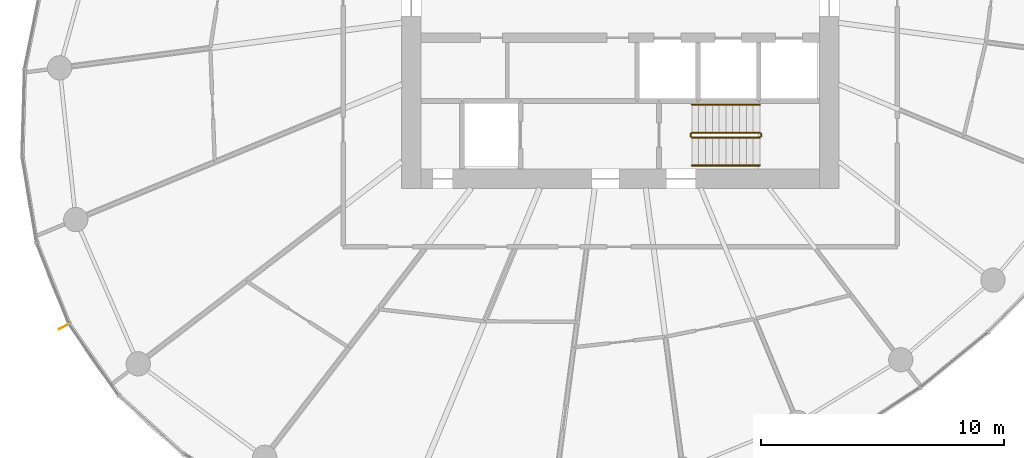
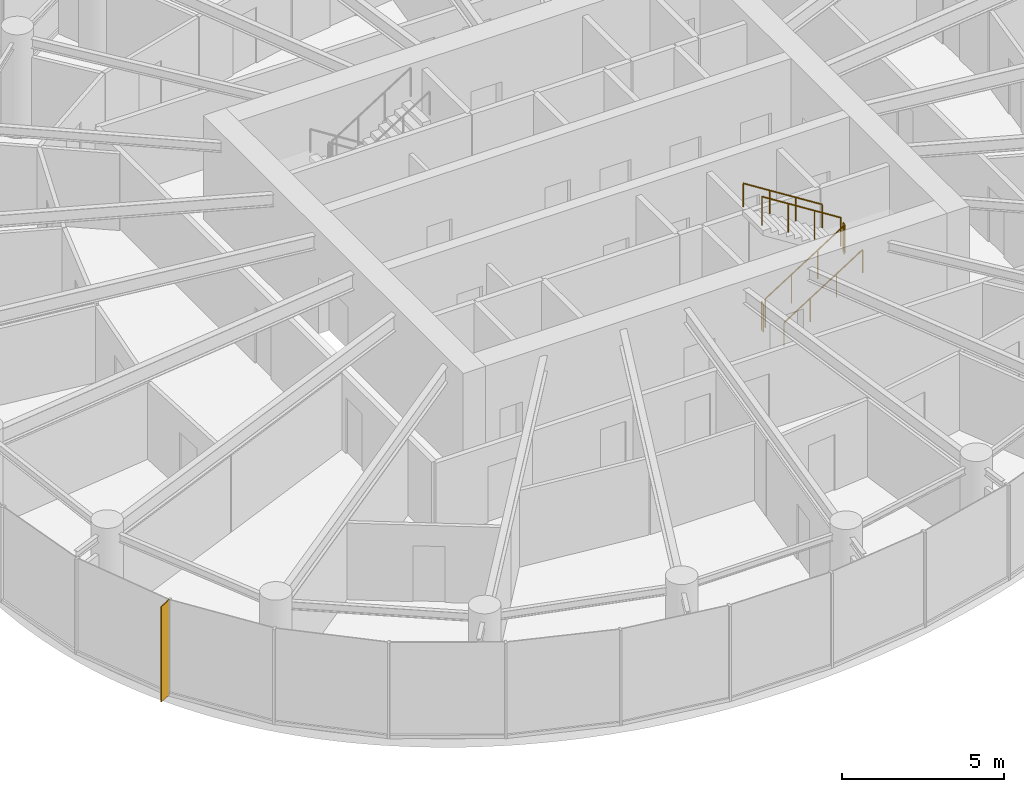
# One storey, part 12 of 14: 6 railings, 1 shading device.
"""IFC4 building model written with IfcOpenShell, lengths in metres."""

from ifc_helpers import new_model, si_unit, direction, frame, origin, origin_2d, place, context, subcontext, project, spatial, rectangle, circle, extrude, source, transform, mapped, material, material_profile, profile_set, type_object, element, save


model = new_model("IFC4")

# Units and contexts
model_context = context("Model", 3, precision=1e-05, world=origin(), true_north=direction((0.0, 1.0)))
body_context = subcontext(model_context, "Body", "Model", "MODEL_VIEW")
ifc_project = project(units=[si_unit("LENGTHUNIT", "METRE"), si_unit("AREAUNIT", "SQUARE_METRE"), si_unit("VOLUMEUNIT", "CUBIC_METRE"), si_unit("PLANEANGLEUNIT", "RADIAN"), si_unit("MASSUNIT", "GRAM", prefix="KILO")], contexts=[model_context])

# Site, building, storey
site_placement = place(None, origin())
site = spatial("IfcSite", under=ifc_project, at=site_placement, CompositionType="ELEMENT")
building_placement = place(site_placement, origin())
building = spatial("IfcBuilding", under=site, at=building_placement, Name="Spindrift Exchange Tower", CompositionType="ELEMENT")
storey_placement = place(building_placement, frame((0.0, 0.0, 160.39990234375)))
storey = spatial("IfcBuildingStorey", under=building, at=storey_placement, Name="L38", CompositionType="ELEMENT", Elevation=160.39990234375)

# Railings
ifc_material_1 = material(Name="Steel balustrade", Category="steel")
railing_type_1 = type_object("IfcRailingType", Name="RL-STAIR-GUARD", PredefinedType="GUARDRAIL", material=ifc_material_1)
railing_1_placement = place(storey_placement, frame((54.949951171875, 42.10009765625, 0.177490234375)))
element("IfcRailing", 1, at=railing_1_placement, inside=storey, type_object=railing_type_1, Name="L38 ST2 stair guard 1", PredefinedType="GUARDRAIL", context=body_context, shape_type="SweptSolid", body=[
    extrude(circle(Radius=0.02392578125, at=origin_2d()), frame((0.0, 0.0, 1.076171875), z_axis=(0.844908973607, 0.0, 0.534910110503), x_axis=(0.0, 1.0, 0.0)), (0.0, 0.0, 1.0), 3.31396484375),
    extrude(circle(Radius=0.02099609375, at=origin_2d()), origin(), (0.0, 0.0, 1.0), 1.052001953125),
    extrude(circle(Radius=0.02099609375, at=origin_2d()), frame((0.933349609375, 0.0, 0.5908203125)), (0.0, 0.0, 1.0), 1.052001953125),
    extrude(circle(Radius=0.02099609375, at=origin_2d()), frame((1.86669921875, 0.0, 1.181884765625)), (0.0, 0.0, 1.0), 1.052001953125),
    extrude(circle(Radius=0.02099609375, at=origin_2d()), frame((2.800048828125, 0.0, 1.772705078125)), (0.0, 0.0, 1.0), 1.052001953125),
])
railing_2_placement = place(storey_placement, frame((57.800048828125, 42.14990234375, 1.9501953125)))
element("IfcRailing", 2, at=railing_2_placement, inside=storey, type_object=railing_type_1, Name="L38 ST2 stair guard 2", PredefinedType="GUARDRAIL", context=body_context, shape_type="SweptSolid", body=[
    extrude(circle(Radius=0.02392578125, at=origin_2d()), frame((0.0, 0.0, 1.076171875), z_axis=(0.0, 1.0, 0.0), x_axis=(-1.0, 0.0, 0.0)), (0.0, 0.0, 1.0), 0.10009765625),
    extrude(circle(Radius=0.02099609375, at=origin_2d()), origin(), (0.0, 0.0, 1.0), 1.052001953125),
    extrude(circle(Radius=0.02099609375, at=origin_2d()), frame((0.0, 0.10009765625, 0.0)), (0.0, 0.0, 1.0), 1.052001953125),
])
railing_3_placement = place(storey_placement, frame((57.75, 42.300048828125, 2.12744140625)))
element("IfcRailing", 3, at=railing_3_placement, inside=storey, type_object=railing_type_1, Name="L38 ST2 stair guard 3", PredefinedType="GUARDRAIL", context=body_context, shape_type="SweptSolid", body=[
    extrude(circle(Radius=0.02392578125, at=origin_2d()), frame((0.0, 0.0, 1.076171875), z_axis=(-0.844908973607, 0.0, 0.534910110503), x_axis=(0.0, -1.0, 0.0)), (0.0, 0.0, 1.0), 3.31396484375),
    extrude(circle(Radius=0.02099609375, at=origin_2d()), origin(), (0.0, 0.0, 1.0), 1.052001953125),
    extrude(circle(Radius=0.02099609375, at=origin_2d()), frame((-0.933349609375, 0.0, 0.5908203125)), (0.0, 0.0, 1.0), 1.052001953125),
    extrude(circle(Radius=0.02099609375, at=origin_2d()), frame((-1.86669921875, 0.0, 1.181884765625)), (0.0, 0.0, 1.0), 1.052001953125),
    extrude(circle(Radius=0.02099609375, at=origin_2d()), frame((-2.800048828125, 0.0, 1.772705078125)), (0.0, 0.0, 1.0), 1.052001953125),
])
railing_4_placement = place(storey_placement, frame((54.89990234375, 42.14990234375, 0.0)))
element("IfcRailing", 4, at=railing_4_placement, inside=storey, type_object=railing_type_1, Name="L38 ST2 stair guard 4", PredefinedType="GUARDRAIL", context=body_context, shape_type="SweptSolid", body=[
    extrude(circle(Radius=0.02392578125, at=origin_2d()), frame((0.0, 0.0, 1.076171875), z_axis=(0.0, 1.0, 0.0), x_axis=(-1.0, 0.0, 0.0)), (0.0, 0.0, 1.0), 0.10009765625),
    extrude(circle(Radius=0.02099609375, at=origin_2d()), origin(), (0.0, 0.0, 1.0), 1.052001953125),
    extrude(circle(Radius=0.02099609375, at=origin_2d()), frame((0.0, 0.10009765625, 0.0)), (0.0, 0.0, 1.0), 1.052001953125),
])
ifc_material_2 = material(Name="Steel tubular handrail", Category="steel")
railing_type_2 = type_object("IfcRailingType", Name="RL-STAIR-HAND", PredefinedType="HANDRAIL", material=ifc_material_2)
railing_5_placement = place(storey_placement, frame((54.949951171875, 40.949951171875, 0.177490234375)))
element("IfcRailing", 5, at=railing_5_placement, inside=storey, type_object=railing_type_2, Name="L38 ST2 stair handrail 1", PredefinedType="HANDRAIL", context=body_context, shape_type="SweptSolid", body=[
    extrude(circle(Radius=0.02392578125, at=origin_2d()), frame((0.0, 0.0, 0.8759765625), z_axis=(0.844908973607, 0.0, 0.534910110503), x_axis=(0.0, 1.0, 0.0)), (0.0, 0.0, 1.0), 3.31396484375),
    extrude(circle(Radius=0.02099609375, at=origin_2d()), origin(), (0.0, 0.0, 1.0), 0.851806640625),
    extrude(circle(Radius=0.02099609375, at=origin_2d()), frame((0.933349609375, 0.0, 0.5908203125)), (0.0, 0.0, 1.0), 0.851806640625),
    extrude(circle(Radius=0.02099609375, at=origin_2d()), frame((1.86669921875, 0.0, 1.181884765625)), (0.0, 0.0, 1.0), 0.851806640625),
    extrude(circle(Radius=0.02099609375, at=origin_2d()), frame((2.800048828125, 0.0, 1.772705078125)), (0.0, 0.0, 1.0), 0.851806640625),
])
railing_6_placement = place(storey_placement, frame((57.75, 43.449951171875, 2.12744140625)))
element("IfcRailing", 6, at=railing_6_placement, inside=storey, type_object=railing_type_2, Name="L38 ST2 stair handrail 2", PredefinedType="HANDRAIL", context=body_context, shape_type="SweptSolid", body=[
    extrude(circle(Radius=0.02392578125, at=origin_2d()), frame((0.0, 0.0, 0.8759765625), z_axis=(-0.844908973607, 0.0, 0.534910110503), x_axis=(0.0, -1.0, 0.0)), (0.0, 0.0, 1.0), 3.31396484375),
    extrude(circle(Radius=0.02099609375, at=origin_2d()), origin(), (0.0, 0.0, 1.0), 0.851806640625),
    extrude(circle(Radius=0.02099609375, at=origin_2d()), frame((-0.933349609375, 0.0, 0.5908203125)), (0.0, 0.0, 1.0), 0.851806640625),
    extrude(circle(Radius=0.02099609375, at=origin_2d()), frame((-1.86669921875, 0.0, 1.181884765625)), (0.0, 0.0, 1.0), 0.851806640625),
    extrude(circle(Radius=0.02099609375, at=origin_2d()), frame((-2.800048828125, 0.0, 1.772705078125)), (0.0, 0.0, 1.0), 0.851806640625),
])

# Shading device
ifc_material_3 = material(Name="Bronze anodised aluminium", Category="aluminium")
ifc_material_profile = material_profile(ifc_material_3, rectangle(XDim=0.030029296875, YDim=0.5, at=origin_2d()), Name="WIND FIN 30X500")
ifc_profile_set = profile_set([ifc_material_profile], Name="Bronze anodised aluminium")
shading_device_type = type_object("IfcShadingDeviceType", Name="WIND FIN 30X500", PredefinedType="USERDEFINED", material=ifc_profile_set)
shared_shape = source(origin(), body_context, "Body", "SweptSolid", [
    extrude(rectangle(XDim=0.030029296875, YDim=0.5, at=origin_2d()), origin(), (0.0, 0.0, 1.0), 3.580078125),
])
shading_device_placement = place(storey_placement, frame((29.13525390625, 34.330810546875, 0.0), z_axis=(0.0, 0.0, 1.0), x_axis=(0.473923771433, -0.880565874237, 0.0)))
element("IfcShadingDevice", 7, at=shading_device_placement, inside=storey, type_object=shading_device_type, Name="L38 wind fin 1", ObjectType="FIN", PredefinedType="USERDEFINED", context=body_context, shape_type="MappedRepresentation", body=[
    mapped(shared_shape, transform((0.0, 0.0, 0.0), scale=1.0)),
])

save(model, "model.ifc")
